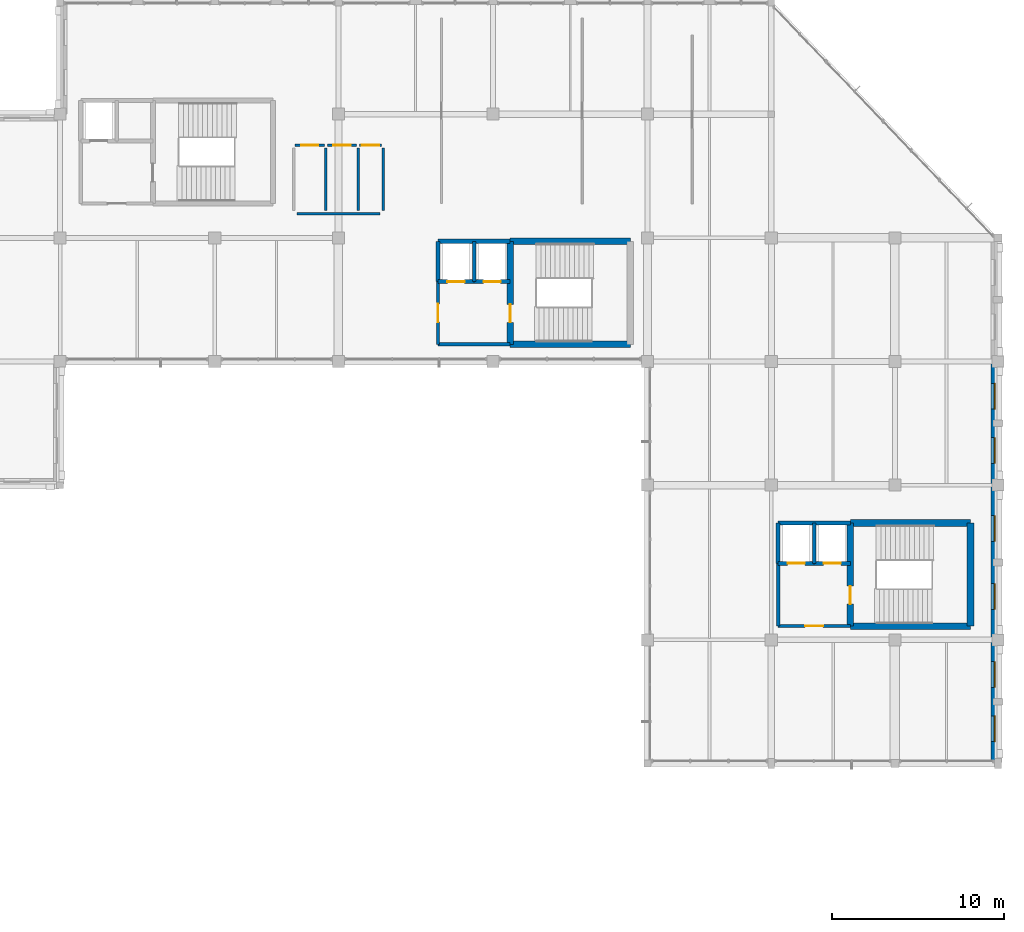
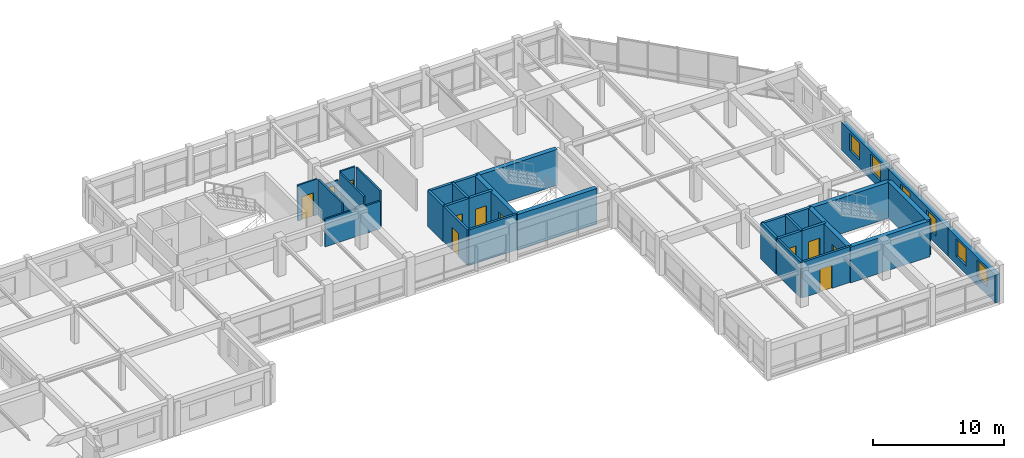
# One storey, part 44 of 52: 31 walls, 11 doors, 6 windows, 17 openings.
"""IFC4 building model written with IfcOpenShell, lengths in metres."""

from ifc_helpers import new_model, si_unit, direction, frame, frame_2d, origin, place, context, subcontext, project, spatial, rectangle, extrude, material, layer, layer_set, type_object, element, fill, save


model = new_model("IFC4")

# Units and contexts
model_context = context("Model", 3, precision=1e-05, world=origin(), true_north=direction((0.0, 1.0)))
body_context = subcontext(model_context, "Body", "Model", "MODEL_VIEW")
ifc_project = project(units=[si_unit("LENGTHUNIT", "METRE"), si_unit("AREAUNIT", "SQUARE_METRE"), si_unit("VOLUMEUNIT", "CUBIC_METRE"), si_unit("PLANEANGLEUNIT", "RADIAN"), si_unit("MASSUNIT", "GRAM", prefix="KILO")], contexts=[model_context])

# Site, building, storey
site_placement = place(None, origin())
site = spatial("IfcSite", under=ifc_project, at=site_placement, CompositionType="ELEMENT")
building_placement = place(site_placement, origin())
building = spatial("IfcBuilding", under=site, at=building_placement, Name="Clarverna Civic Hall", CompositionType="ELEMENT")
storey_placement = place(building_placement, frame((0.0, 0.0, 16.800048828125)))
storey = spatial("IfcBuildingStorey", under=building, at=storey_placement, Name="L04", CompositionType="ELEMENT", Elevation=16.800048828125)

# Wall, openings, windows
ifc_material_1 = material(Name="Montjuic Limestone Ashlar Cladding", Category="masonry")
ifc_layer_1 = layer(ifc_material_1, 0.39990234375)
ifc_layer_set_1 = layer_set([ifc_layer_1], Name="Montjuic Limestone Ashlar Cladding")
wall_type_1 = type_object("IfcWallType", Name="EW-02", PredefinedType="SOLIDWALL", material=ifc_layer_set_1)
wall_1_placement = place(storey_placement, frame((167.800048828125, 95.0, 0.0), z_axis=(0.0, 0.0, 1.0), x_axis=(0.0, -1.0, 0.0)))
wall_1 = element("IfcWall", 1, at=wall_1_placement, inside=storey, type_object=wall_type_1, Name="EW-02-224", PredefinedType="SOLIDWALL", context=body_context, shape_type="SweptSolid", body=[
    extrude(rectangle(XDim=7.199951171875, YDim=0.39990234375, at=frame_2d((3.60009765625, 0.0))), origin(), (0.0, 0.0, 1.0), 2.599853515625),
])
opening_1_placement = place(wall_1_placement, frame((1.26611328125, 0.0, 0.75)))
opening_1 = element("IfcOpeningElement", 2, at=opening_1_placement, cuts=wall_1, Name="Opening WN-14", PredefinedType="OPENING", context=body_context, shape_type="SweptSolid", body=[
    extrude(rectangle(XDim=1.5, YDim=1.60009765625, at=frame_2d((0.75, 0.800048828125))), frame((0.0, 0.2099609375, 0.0), z_axis=(0.0, -1.0, 0.0), x_axis=(1.0, 0.0, 0.0)), (0.0, 0.0, 1.0), 0.419921875),
])
opening_2_placement = place(wall_1_placement, frame((4.43408203125, 0.0, 0.75)))
opening_2 = element("IfcOpeningElement", 3, at=opening_2_placement, cuts=wall_1, Name="Opening WN-14", PredefinedType="OPENING", context=body_context, shape_type="SweptSolid", body=[
    extrude(rectangle(XDim=1.5, YDim=1.60009765625, at=frame_2d((0.75, 0.800048828125))), frame((0.0, 0.2099609375, 0.0), z_axis=(0.0, -1.0, 0.0), x_axis=(1.0, 0.0, 0.0)), (0.0, 0.0, 1.0), 0.419921875),
])
ifc_material_2 = material(Name="Solar-Control Argon Low-E Double Glazing", Category="glass")
window_type = type_object("IfcWindowType", Name="WN-14", PartitioningType="DOUBLE_PANEL_HORIZONTAL", PredefinedType="WINDOW", material=ifc_material_2)
window_1_placement = place(opening_1_placement, origin())
window_1 = element("IfcWindow", 4, at=window_1_placement, inside=storey, type_object=window_type, Name="WN-14-240", OverallHeight=1.60009765625, OverallWidth=1.5, PartitioningType="DOUBLE_PANEL_HORIZONTAL", PredefinedType="WINDOW", context=body_context, shape_type="SweptSolid", body=[
    extrude(rectangle(XDim=1.5, YDim=1.60009765625, at=frame_2d((0.75, 0.800048828125))), frame((0.0, 0.030029296875, 0.0), z_axis=(0.0, -1.0, 0.0), x_axis=(1.0, 0.0, 0.0)), (0.0, 0.0, 1.0), 0.06005859375),
])
fill(opening_1, window_1)
window_2_placement = place(opening_2_placement, origin())
window_2 = element("IfcWindow", 5, at=window_2_placement, inside=storey, type_object=window_type, Name="WN-14-241", OverallHeight=1.60009765625, OverallWidth=1.5, PartitioningType="DOUBLE_PANEL_HORIZONTAL", PredefinedType="WINDOW", context=body_context, shape_type="SweptSolid", body=[
    extrude(rectangle(XDim=1.5, YDim=1.60009765625, at=frame_2d((0.75, 0.800048828125))), frame((0.0, 0.030029296875, 0.0), z_axis=(0.0, -1.0, 0.0), x_axis=(1.0, 0.0, 0.0)), (0.0, 0.0, 1.0), 0.06005859375),
])
fill(opening_2, window_2)

wall_2_placement = place(storey_placement, frame((167.800048828125, 87.800048828125, 0.0), z_axis=(0.0, 0.0, 1.0), x_axis=(0.0, -1.0, 0.0)))
wall_2 = element("IfcWall", 6, at=wall_2_placement, inside=storey, type_object=wall_type_1, Name="EW-02-225", PredefinedType="SOLIDWALL", context=body_context, shape_type="SweptSolid", body=[
    extrude(rectangle(XDim=9.0, YDim=0.39990234375, at=frame_2d((4.5, 0.0))), origin(), (0.0, 0.0, 1.0), 2.599853515625),
])
opening_3_placement = place(wall_2_placement, frame((1.77001953125, 0.0, 0.75)))
opening_3 = element("IfcOpeningElement", 7, at=opening_3_placement, cuts=wall_2, Name="Opening WN-14", PredefinedType="OPENING", context=body_context, shape_type="SweptSolid", body=[
    extrude(rectangle(XDim=1.5, YDim=1.60009765625, at=frame_2d((0.75, 0.800048828125))), frame((0.0, 0.2099609375, 0.0), z_axis=(0.0, -1.0, 0.0), x_axis=(1.0, 0.0, 0.0)), (0.0, 0.0, 1.0), 0.419921875),
])
opening_4_placement = place(wall_2_placement, frame((5.72998046875, 0.0, 0.75)))
opening_4 = element("IfcOpeningElement", 8, at=opening_4_placement, cuts=wall_2, Name="Opening WN-14", PredefinedType="OPENING", context=body_context, shape_type="SweptSolid", body=[
    extrude(rectangle(XDim=1.5, YDim=1.60009765625, at=frame_2d((0.75, 0.800048828125))), frame((0.0, 0.2099609375, 0.0), z_axis=(0.0, -1.0, 0.0), x_axis=(1.0, 0.0, 0.0)), (0.0, 0.0, 1.0), 0.419921875),
])
window_3_placement = place(opening_3_placement, origin())
window_3 = element("IfcWindow", 9, at=window_3_placement, inside=storey, type_object=window_type, Name="WN-14-242", OverallHeight=1.60009765625, OverallWidth=1.5, PartitioningType="DOUBLE_PANEL_HORIZONTAL", PredefinedType="WINDOW", context=body_context, shape_type="SweptSolid", body=[
    extrude(rectangle(XDim=1.5, YDim=1.60009765625, at=frame_2d((0.75, 0.800048828125))), frame((0.0, 0.030029296875, 0.0), z_axis=(0.0, -1.0, 0.0), x_axis=(1.0, 0.0, 0.0)), (0.0, 0.0, 1.0), 0.06005859375),
])
fill(opening_3, window_3)
window_4_placement = place(opening_4_placement, origin())
window_4 = element("IfcWindow", 10, at=window_4_placement, inside=storey, type_object=window_type, Name="WN-14-243", OverallHeight=1.60009765625, OverallWidth=1.5, PartitioningType="DOUBLE_PANEL_HORIZONTAL", PredefinedType="WINDOW", context=body_context, shape_type="SweptSolid", body=[
    extrude(rectangle(XDim=1.5, YDim=1.60009765625, at=frame_2d((0.75, 0.800048828125))), frame((0.0, 0.030029296875, 0.0), z_axis=(0.0, -1.0, 0.0), x_axis=(1.0, 0.0, 0.0)), (0.0, 0.0, 1.0), 0.06005859375),
])
fill(opening_4, window_4)

wall_3_placement = place(storey_placement, frame((167.800048828125, 78.800048828125, 0.0), z_axis=(0.0, 0.0, 1.0), x_axis=(0.0, -1.0, 0.0)))
wall_3 = element("IfcWall", 11, at=wall_3_placement, inside=storey, type_object=wall_type_1, Name="EW-02-226", PredefinedType="SOLIDWALL", context=body_context, shape_type="SweptSolid", body=[
    extrude(rectangle(XDim=7.199951171875, YDim=0.39990234375, at=frame_2d((3.60009765625, 0.0))), origin(), (0.0, 0.0, 1.0), 2.599853515625),
])
opening_5_placement = place(wall_3_placement, frame((1.26611328125, 0.0, 0.75)))
opening_5 = element("IfcOpeningElement", 12, at=opening_5_placement, cuts=wall_3, Name="Opening WN-14", PredefinedType="OPENING", context=body_context, shape_type="SweptSolid", body=[
    extrude(rectangle(XDim=1.5, YDim=1.60009765625, at=frame_2d((0.75, 0.800048828125))), frame((0.0, 0.2099609375, 0.0), z_axis=(0.0, -1.0, 0.0), x_axis=(1.0, 0.0, 0.0)), (0.0, 0.0, 1.0), 0.419921875),
])
opening_6_placement = place(wall_3_placement, frame((4.43408203125, 0.0, 0.75)))
opening_6 = element("IfcOpeningElement", 13, at=opening_6_placement, cuts=wall_3, Name="Opening WN-14", PredefinedType="OPENING", context=body_context, shape_type="SweptSolid", body=[
    extrude(rectangle(XDim=1.5, YDim=1.60009765625, at=frame_2d((0.75, 0.800048828125))), frame((0.0, 0.2099609375, 0.0), z_axis=(0.0, -1.0, 0.0), x_axis=(1.0, 0.0, 0.0)), (0.0, 0.0, 1.0), 0.419921875),
])
window_5_placement = place(opening_5_placement, origin())
window_5 = element("IfcWindow", 14, at=window_5_placement, inside=storey, type_object=window_type, Name="WN-14-244", OverallHeight=1.60009765625, OverallWidth=1.5, PartitioningType="DOUBLE_PANEL_HORIZONTAL", PredefinedType="WINDOW", context=body_context, shape_type="SweptSolid", body=[
    extrude(rectangle(XDim=1.5, YDim=1.60009765625, at=frame_2d((0.75, 0.800048828125))), frame((0.0, 0.030029296875, 0.0), z_axis=(0.0, -1.0, 0.0), x_axis=(1.0, 0.0, 0.0)), (0.0, 0.0, 1.0), 0.06005859375),
])
fill(opening_5, window_5)
window_6_placement = place(opening_6_placement, origin())
window_6 = element("IfcWindow", 15, at=window_6_placement, inside=storey, type_object=window_type, Name="WN-14-245", OverallHeight=1.60009765625, OverallWidth=1.5, PartitioningType="DOUBLE_PANEL_HORIZONTAL", PredefinedType="WINDOW", context=body_context, shape_type="SweptSolid", body=[
    extrude(rectangle(XDim=1.5, YDim=1.60009765625, at=frame_2d((0.75, 0.800048828125))), frame((0.0, 0.030029296875, 0.0), z_axis=(0.0, -1.0, 0.0), x_axis=(1.0, 0.0, 0.0)), (0.0, 0.0, 1.0), 0.06005859375),
])
fill(opening_6, window_6)

# Walls
ifc_material_3 = material(Name="Ceramic Brick and Plaster Wet-Room Partition", Category="masonry")
ifc_layer_2 = layer(ifc_material_3, 0.139892578125)
ifc_layer_set_2 = layer_set([ifc_layer_2], Name="Ceramic Brick and Plaster Wet-Room Partition")
wall_type_2 = type_object("IfcWallType", Name="PW-02", PredefinedType="PARTITIONING", material=ifc_layer_set_2)
wall_4_placement = place(storey_placement, frame((127.179931640625, 103.60009765625, 0.0), z_axis=(0.0, 0.0, 1.0), x_axis=(1.0, 0.0, 0.0)))
element("IfcWall", 16, at=wall_4_placement, inside=storey, type_object=wall_type_2, Name="PW-02-041", PredefinedType="PARTITIONING", context=body_context, shape_type="SweptSolid", body=[
    extrude(rectangle(XDim=4.840087890625, YDim=0.139892578125, at=frame_2d((2.419921875, 0.0))), origin(), (0.0, 0.0, 1.0), 2.570068359375),
])
for number, where, z_axis, x_axis, name in (
    (17, (132.199951171875, 103.780029296875, 0.0), (0.0, 0.0, 1.0), (0.0, 1.0, 0.0), "PW-02-043"),
    (18, (128.8720703125, 103.780029296875, 0.0), (0.0, 0.0, 1.0), (0.0, 1.0, 0.0), "PW-02-044"),
    (19, (130.743896484375, 103.780029296875, 0.0), (0.0, 0.0, 1.0), (0.0, 1.0, 0.0), "PW-02-045"),
):
    element("IfcWall", number, at=place(storey_placement, frame(where, z_axis=z_axis, x_axis=x_axis)), inside=storey, type_object=wall_type_2, Name=name, PredefinedType="PARTITIONING", context=body_context, shape_type="SweptSolid", body=[
        extrude(rectangle(XDim=3.639892578125, YDim=0.139892578125, at=frame_2d((1.81982421875, 0.0))), origin(), (0.0, 0.0, 1.0), 3.320068359375),
    ])

# Wall, opening, door
wall_5_placement = place(storey_placement, frame((127.080078125, 107.60009765625, 0.0), z_axis=(0.0, 0.0, 1.0), x_axis=(1.0, 0.0, 0.0)))
wall_5 = element("IfcWall", 20, at=wall_5_placement, inside=storey, type_object=wall_type_2, Name="PW-02-046", PredefinedType="PARTITIONING", context=body_context, shape_type="SweptSolid", body=[
    extrude(rectangle(XDim=1.7119140625, YDim=0.139892578125, at=frame_2d((0.85595703125, 0.0))), origin(), (0.0, 0.0, 1.0), 3.320068359375),
])
opening_7_placement = place(wall_5_placement, frame((0.35595703125, 0.0, 0.0)))
opening_7 = element("IfcOpeningElement", 21, at=opening_7_placement, cuts=wall_5, Name="Opening ID-02", PredefinedType="OPENING", context=body_context, shape_type="SweptSolid", body=[
    extrude(rectangle(XDim=1.0, YDim=2.14990234375, at=frame_2d((0.5, 1.074951171875))), frame((0.0, 0.079833984375, 0.0), z_axis=(0.0, -1.0, 0.0), x_axis=(1.0, 0.0, 0.0)), (0.0, 0.0, 1.0), 0.159912109375),
])
ifc_material_4 = material(Name="European Oak Veneered Acoustic Timber Door", Category="wood")
door_type_1 = type_object("IfcDoorType", Name="ID-02", OperationType="NOTDEFINED", PredefinedType="DOOR", material=ifc_material_4)
door_1_placement = place(opening_7_placement, origin())
door_1 = element("IfcDoor", 22, at=door_1_placement, inside=storey, type_object=door_type_1, Name="ID-02-016", OperationType="SINGLE_SWING_RIGHT", OverallHeight=2.14990234375, OverallWidth=1.0, PredefinedType="DOOR", context=body_context, shape_type="SweptSolid", body=[
    extrude(rectangle(XDim=1.0, YDim=2.14990234375, at=frame_2d((0.5, 1.074951171875))), frame((0.0, 0.02490234375, 0.0), z_axis=(0.0, -1.0, 0.0), x_axis=(1.0, 0.0, 0.0)), (0.0, 0.0, 1.0), 0.050048828125),
])
fill(opening_7, door_1)

wall_6_placement = place(storey_placement, frame((128.951904296875, 107.60009765625, 0.0), z_axis=(0.0, 0.0, 1.0), x_axis=(1.0, 0.0, 0.0)))
wall_6 = element("IfcWall", 23, at=wall_6_placement, inside=storey, type_object=wall_type_2, Name="PW-02-047", PredefinedType="PARTITIONING", context=body_context, shape_type="SweptSolid", body=[
    extrude(rectangle(XDim=1.712158203125, YDim=0.139892578125, at=frame_2d((0.85595703125, 0.0))), origin(), (0.0, 0.0, 1.0), 2.570068359375),
])
opening_8_placement = place(wall_6_placement, frame((0.35595703125, 0.0, 0.0)))
opening_8 = element("IfcOpeningElement", 24, at=opening_8_placement, cuts=wall_6, Name="Opening ID-02", PredefinedType="OPENING", context=body_context, shape_type="SweptSolid", body=[
    extrude(rectangle(XDim=1.0, YDim=2.14990234375, at=frame_2d((0.5, 1.074951171875))), frame((0.0, 0.079833984375, 0.0), z_axis=(0.0, -1.0, 0.0), x_axis=(1.0, 0.0, 0.0)), (0.0, 0.0, 1.0), 0.159912109375),
])
door_2_placement = place(opening_8_placement, origin())
door_2 = element("IfcDoor", 25, at=door_2_placement, inside=storey, type_object=door_type_1, Name="ID-02-017", OperationType="SINGLE_SWING_LEFT", OverallHeight=2.14990234375, OverallWidth=1.0, PredefinedType="DOOR", context=body_context, shape_type="SweptSolid", body=[
    extrude(rectangle(XDim=1.0, YDim=2.14990234375, at=frame_2d((0.5, 1.074951171875))), frame((0.0, 0.02490234375, 0.0), z_axis=(0.0, -1.0, 0.0), x_axis=(1.0, 0.0, 0.0)), (0.0, 0.0, 1.0), 0.050048828125),
])
fill(opening_8, door_2)

wall_7_placement = place(storey_placement, frame((130.823974609375, 107.60009765625, 0.0), z_axis=(0.0, 0.0, 1.0), x_axis=(1.0, 0.0, 0.0)))
wall_7 = element("IfcWall", 26, at=wall_7_placement, inside=storey, type_object=wall_type_2, Name="PW-02-048", PredefinedType="PARTITIONING", context=body_context, shape_type="SweptSolid", body=[
    extrude(rectangle(XDim=1.296142578125, YDim=0.139892578125, at=frame_2d((0.64794921875, 0.0))), origin(), (0.0, 0.0, 1.0), 3.320068359375),
])
opening_9_placement = place(wall_7_placement, frame((0.14794921875, 0.0, 0.0)))
opening_9 = element("IfcOpeningElement", 27, at=opening_9_placement, cuts=wall_7, Name="Opening ID-02", PredefinedType="OPENING", context=body_context, shape_type="SweptSolid", body=[
    extrude(rectangle(XDim=1.0, YDim=2.14990234375, at=frame_2d((0.5, 1.074951171875))), frame((0.0, 0.079833984375, 0.0), z_axis=(0.0, -1.0, 0.0), x_axis=(1.0, 0.0, 0.0)), (0.0, 0.0, 1.0), 0.159912109375),
])
door_3_placement = place(opening_9_placement, origin())
door_3 = element("IfcDoor", 28, at=door_3_placement, inside=storey, type_object=door_type_1, Name="ID-02-018", OperationType="SINGLE_SWING_RIGHT", OverallHeight=2.14990234375, OverallWidth=1.0, PredefinedType="DOOR", context=body_context, shape_type="SweptSolid", body=[
    extrude(rectangle(XDim=1.0, YDim=2.14990234375, at=frame_2d((0.5, 1.074951171875))), frame((0.0, 0.02490234375, 0.0), z_axis=(0.0, -1.0, 0.0), x_axis=(1.0, 0.0, 0.0)), (0.0, 0.0, 1.0), 0.050048828125),
])
fill(opening_9, door_3)

ifc_material_5 = material(Name="Acoustic Gypsum Plasterboard on Twin Frame", Category="gypsum")
ifc_layer_3 = layer(ifc_material_5, 0.18994140625)
ifc_layer_set_3 = layer_set([ifc_layer_3], Name="Acoustic Gypsum Plasterboard on Twin Frame")
wall_type_3 = type_object("IfcWallType", Name="PW-06", PredefinedType="PARTITIONING", material=ifc_layer_set_3)
wall_8_placement = place(storey_placement, frame((135.39990234375, 96.0, 0.0), z_axis=(0.0, 0.0, 1.0), x_axis=(0.0, 1.0, 0.0)))
wall_8 = element("IfcWall", 29, at=wall_8_placement, inside=storey, type_object=wall_type_3, Name="PW-06-011", PredefinedType="PARTITIONING", context=body_context, shape_type="SweptSolid", body=[
    extrude(rectangle(XDim=3.64990234375, YDim=0.18994140625, at=frame_2d((1.824951171875, 0.0))), origin(), (0.0, 0.0, 1.0), 3.320068359375),
])
opening_10_placement = place(wall_8_placement, frame((1.300048828125, 0.0, 0.0)))
opening_10 = element("IfcOpeningElement", 30, at=opening_10_placement, cuts=wall_8, Name="Opening FD-02", PredefinedType="OPENING", context=body_context, shape_type="SweptSolid", body=[
    extrude(rectangle(XDim=1.050048828125, YDim=2.14990234375, at=frame_2d((0.52490234375, 1.074951171875))), frame((0.0, 0.10498046875, 0.0), z_axis=(0.0, -1.0, 0.0), x_axis=(1.0, 0.0, 0.0)), (0.0, 0.0, 1.0), 0.2099609375),
])
ifc_material_6 = material(Name="Acoustic Timber-Faced Fire Door", Category="wood")
door_type_2 = type_object("IfcDoorType", Name="FD-02", OperationType="NOTDEFINED", PredefinedType="DOOR", material=ifc_material_6)
door_4_placement = place(opening_10_placement, origin())
door_4 = element("IfcDoor", 31, at=door_4_placement, inside=storey, type_object=door_type_2, Name="FD-02-011", OperationType="SINGLE_SWING_RIGHT", OverallHeight=2.14990234375, OverallWidth=1.050048828125, PredefinedType="DOOR", context=body_context, shape_type="SweptSolid", body=[
    extrude(rectangle(XDim=1.050048828125, YDim=2.14990234375, at=frame_2d((0.52490234375, 1.074951171875))), frame((0.0, 0.02490234375, 0.0), z_axis=(0.0, -1.0, 0.0), x_axis=(1.0, 0.0, 0.0)), (0.0, 0.0, 1.0), 0.050048828125),
])
fill(opening_10, door_4)

# Walls
wall_9_placement = place(storey_placement, frame((135.39990234375, 96.0, 0.0), z_axis=(0.0, 0.0, 1.0), x_axis=(1.0, 0.0, 0.0)))
element("IfcWall", 32, at=wall_9_placement, inside=storey, type_object=wall_type_3, Name="PW-06-012", PredefinedType="PARTITIONING", context=body_context, shape_type="SweptSolid", body=[
    extrude(rectangle(XDim=4.2001953125, YDim=0.18994140625, at=frame_2d((2.10009765625, 0.0))), origin(), (0.0, 0.0, 1.0), 3.320068359375),
])
wall_10_placement = place(storey_placement, frame((155.199951171875, 79.60009765625, 0.0), z_axis=(0.0, 0.0, 1.0), x_axis=(0.0, 1.0, 0.0)))
element("IfcWall", 33, at=wall_10_placement, inside=storey, type_object=wall_type_3, Name="PW-06-029", PredefinedType="PARTITIONING", context=body_context, shape_type="SweptSolid", body=[
    extrude(rectangle(XDim=3.64990234375, YDim=0.18994140625, at=frame_2d((1.824951171875, 0.0))), origin(), (0.0, 0.0, 1.0), 3.320068359375),
])

# Wall, opening, door
wall_11_placement = place(storey_placement, frame((155.199951171875, 79.60009765625, 0.0), z_axis=(0.0, 0.0, 1.0), x_axis=(1.0, 0.0, 0.0)))
wall_11 = element("IfcWall", 34, at=wall_11_placement, inside=storey, type_object=wall_type_3, Name="PW-06-030", PredefinedType="PARTITIONING", context=body_context, shape_type="SweptSolid", body=[
    extrude(rectangle(XDim=4.199951171875, YDim=0.18994140625, at=frame_2d((2.10009765625, 0.0))), origin(), (0.0, 0.0, 1.0), 3.320068359375),
])
opening_11_placement = place(wall_11_placement, frame((1.574951171875, 0.0, 0.0)))
opening_11 = element("IfcOpeningElement", 35, at=opening_11_placement, cuts=wall_11, Name="Opening FD-02", PredefinedType="OPENING", context=body_context, shape_type="SweptSolid", body=[
    extrude(rectangle(XDim=1.050048828125, YDim=2.14990234375, at=frame_2d((0.52490234375, 1.074951171875))), frame((0.0, 0.10498046875, 0.0), z_axis=(0.0, -1.0, 0.0), x_axis=(1.0, 0.0, 0.0)), (0.0, 0.0, 1.0), 0.2099609375),
])
door_5_placement = place(opening_11_placement, origin())
door_5 = element("IfcDoor", 36, at=door_5_placement, inside=storey, type_object=door_type_2, Name="FD-02-028", OperationType="SINGLE_SWING_RIGHT", OverallHeight=2.14990234375, OverallWidth=1.050048828125, PredefinedType="DOOR", context=body_context, shape_type="SweptSolid", body=[
    extrude(rectangle(XDim=1.050048828125, YDim=2.14990234375, at=frame_2d((0.52490234375, 1.074951171875))), frame((0.0, 0.02490234375, 0.0), z_axis=(0.0, -1.0, 0.0), x_axis=(1.0, 0.0, 0.0)), (0.0, 0.0, 1.0), 0.050048828125),
])
fill(opening_11, door_5)

ifc_material_7 = material(Name="Concrete C35/45", Category="concrete")
ifc_layer_4 = layer(ifc_material_7, 0.3798828125)
ifc_layer_set_4 = layer_set([ifc_layer_4], Name="Concrete C35/45")
wall_type_4 = type_object("IfcWallType", Name="SW-01", PredefinedType="SHEAR", material=ifc_layer_set_4)
wall_12_placement = place(storey_placement, frame((139.60009765625, 96.0, 0.0), z_axis=(0.0, 0.0, 1.0), x_axis=(0.0, 1.0, 0.0)))
wall_12 = element("IfcWall", 37, at=wall_12_placement, inside=storey, type_object=wall_type_4, Name="SW-01-046", PredefinedType="SHEAR", context=body_context, shape_type="SweptSolid", body=[
    extrude(rectangle(XDim=6.0, YDim=0.3798828125, at=frame_2d((3.0, 0.0))), origin(), (0.0, 0.0, 1.0), 3.320068359375),
])
opening_12_placement = place(wall_12_placement, frame((1.27490234375, 0.0, 0.0)))
opening_12 = element("IfcOpeningElement", 38, at=opening_12_placement, cuts=wall_12, Name="Opening FD-02", PredefinedType="OPENING", context=body_context, shape_type="SweptSolid", body=[
    extrude(rectangle(XDim=1.050048828125, YDim=2.14990234375, at=frame_2d((0.52490234375, 1.074951171875))), frame((0.0, 0.199951171875, 0.0), z_axis=(0.0, -1.0, 0.0), x_axis=(1.0, 0.0, 0.0)), (0.0, 0.0, 1.0), 0.39990234375),
])
door_6_placement = place(opening_12_placement, origin())
door_6 = element("IfcDoor", 39, at=door_6_placement, inside=storey, type_object=door_type_2, Name="FD-02-010", OperationType="SINGLE_SWING_LEFT", OverallHeight=2.14990234375, OverallWidth=1.050048828125, PredefinedType="DOOR", context=body_context, shape_type="SweptSolid", body=[
    extrude(rectangle(XDim=1.050048828125, YDim=2.14990234375, at=frame_2d((0.52490234375, 1.074951171875))), frame((0.0, 0.02490234375, 0.0), z_axis=(0.0, -1.0, 0.0), x_axis=(1.0, 0.0, 0.0)), (0.0, 0.0, 1.0), 0.050048828125),
])
fill(opening_12, door_6)

# Walls
for number, where, z_axis, x_axis, name in (
    (40, (139.60009765625, 96.0, 0.0), (0.0, 0.0, 1.0), (1.0, 0.0, 0.0), "SW-01-048"),
    (41, (139.60009765625, 102.0, 0.0), (0.0, 0.0, 1.0), (1.0, 0.0, 0.0), "SW-01-049"),
):
    element("IfcWall", number, at=place(storey_placement, frame(where, z_axis=z_axis, x_axis=x_axis)), inside=storey, type_object=wall_type_4, Name=name, PredefinedType="SHEAR", context=body_context, shape_type="SweptSolid", body=[
        extrude(rectangle(XDim=7.0, YDim=0.3798828125, at=frame_2d((3.5, 0.0))), origin(), (0.0, 0.0, 1.0), 3.320068359375),
    ])
wall_13_placement = place(storey_placement, frame((135.39990234375, 102.0, 0.0), z_axis=(0.0, 0.0, 1.0), x_axis=(1.0, 0.0, 0.0)))
element("IfcWall", 42, at=wall_13_placement, inside=storey, type_object=wall_type_4, Name="SW-01-050", PredefinedType="SHEAR", context=body_context, shape_type="SweptSolid", body=[
    extrude(rectangle(XDim=4.2001953125, YDim=0.239990234375, at=frame_2d((2.10009765625, 0.0))), origin(), (0.0, 0.0, 1.0), 3.320068359375),
])
wall_14_placement = place(storey_placement, frame((135.39990234375, 99.64990234375, 0.0), z_axis=(0.0, 0.0, 1.0), x_axis=(0.0, 1.0, 0.0)))
element("IfcWall", 43, at=wall_14_placement, inside=storey, type_object=wall_type_4, Name="SW-01-051", PredefinedType="SHEAR", context=body_context, shape_type="SweptSolid", body=[
    extrude(rectangle(XDim=2.35009765625, YDim=0.239990234375, at=frame_2d((1.175048828125, 0.0))), origin(), (0.0, 0.0, 1.0), 3.320068359375),
])
wall_15_placement = place(storey_placement, frame((137.5, 99.64990234375, 0.0), z_axis=(0.0, 0.0, 1.0), x_axis=(0.0, 1.0, 0.0)))
element("IfcWall", 44, at=wall_15_placement, inside=storey, type_object=wall_type_4, Name="SW-01-052", PredefinedType="SHEAR", context=body_context, shape_type="SweptSolid", body=[
    extrude(rectangle(XDim=2.35009765625, YDim=0.199951171875, at=frame_2d((1.175048828125, 0.0))), origin(), (0.0, 0.0, 1.0), 3.320068359375),
])

# Wall, opening, door
wall_16_placement = place(storey_placement, frame((135.39990234375, 99.64990234375, 0.0), z_axis=(0.0, 0.0, 1.0), x_axis=(1.0, 0.0, 0.0)))
wall_16 = element("IfcWall", 45, at=wall_16_placement, inside=storey, type_object=wall_type_4, Name="SW-01-053", PredefinedType="SHEAR", context=body_context, shape_type="SweptSolid", body=[
    extrude(rectangle(XDim=2.10009765625, YDim=0.239990234375, at=frame_2d((1.050048828125, 0.0))), origin(), (0.0, 0.0, 1.0), 3.320068359375),
])
opening_13_placement = place(wall_16_placement, frame((0.550048828125, 0.0, 0.0)))
opening_13 = element("IfcOpeningElement", 46, at=opening_13_placement, cuts=wall_16, Name="Opening LD-01", PredefinedType="OPENING", context=body_context, shape_type="SweptSolid", body=[
    extrude(rectangle(XDim=1.0, YDim=2.10009765625, at=frame_2d((0.5, 1.050048828125))), frame((0.0, 0.1298828125, 0.0), z_axis=(0.0, -1.0, 0.0), x_axis=(1.0, 0.0, 0.0)), (0.0, 0.0, 1.0), 0.260009765625),
])
ifc_material_8 = material(Name="Brushed Bronze Stainless Lift Landing Door")
door_type_3 = type_object("IfcDoorType", Name="LD-01", OperationType="SLIDING_TO_LEFT", PredefinedType="DOOR", material=ifc_material_8)
door_7_placement = place(opening_13_placement, origin())
door_7 = element("IfcDoor", 47, at=door_7_placement, inside=storey, type_object=door_type_3, Name="LD-01-011", OperationType="SLIDING_TO_LEFT", OverallHeight=2.10009765625, OverallWidth=1.0, PredefinedType="DOOR", context=body_context, shape_type="SweptSolid", body=[
    extrude(rectangle(XDim=1.0, YDim=2.10009765625, at=frame_2d((0.5, 1.050048828125))), frame((0.0, 0.02490234375, 0.0), z_axis=(0.0, -1.0, 0.0), x_axis=(1.0, 0.0, 0.0)), (0.0, 0.0, 1.0), 0.050048828125),
])
fill(opening_13, door_7)

wall_17_placement = place(storey_placement, frame((137.5, 99.64990234375, 0.0), z_axis=(0.0, 0.0, 1.0), x_axis=(1.0, 0.0, 0.0)))
wall_17 = element("IfcWall", 48, at=wall_17_placement, inside=storey, type_object=wall_type_4, Name="SW-01-054", PredefinedType="SHEAR", context=body_context, shape_type="SweptSolid", body=[
    extrude(rectangle(XDim=2.10009765625, YDim=0.239990234375, at=frame_2d((1.050048828125, 0.0))), origin(), (0.0, 0.0, 1.0), 3.320068359375),
])
opening_14_placement = place(wall_17_placement, frame((0.550048828125, 0.0, 0.0)))
opening_14 = element("IfcOpeningElement", 49, at=opening_14_placement, cuts=wall_17, Name="Opening LD-01", PredefinedType="OPENING", context=body_context, shape_type="SweptSolid", body=[
    extrude(rectangle(XDim=1.0, YDim=2.10009765625, at=frame_2d((0.5, 1.050048828125))), frame((0.0, 0.1298828125, 0.0), z_axis=(0.0, -1.0, 0.0), x_axis=(1.0, 0.0, 0.0)), (0.0, 0.0, 1.0), 0.260009765625),
])
door_8_placement = place(opening_14_placement, origin())
door_8 = element("IfcDoor", 50, at=door_8_placement, inside=storey, type_object=door_type_3, Name="LD-01-012", OperationType="SLIDING_TO_LEFT", OverallHeight=2.10009765625, OverallWidth=1.0, PredefinedType="DOOR", context=body_context, shape_type="SweptSolid", body=[
    extrude(rectangle(XDim=1.0, YDim=2.10009765625, at=frame_2d((0.5, 1.050048828125))), frame((0.0, 0.02490234375, 0.0), z_axis=(0.0, -1.0, 0.0), x_axis=(1.0, 0.0, 0.0)), (0.0, 0.0, 1.0), 0.050048828125),
])
fill(opening_14, door_8)

wall_18_placement = place(storey_placement, frame((159.39990234375, 79.60009765625, 0.0), z_axis=(0.0, 0.0, 1.0), x_axis=(0.0, 1.0, 0.0)))
wall_18 = element("IfcWall", 51, at=wall_18_placement, inside=storey, type_object=wall_type_4, Name="SW-01-127", PredefinedType="SHEAR", context=body_context, shape_type="SweptSolid", body=[
    extrude(rectangle(XDim=6.0, YDim=0.3798828125, at=frame_2d((3.0, 0.0))), origin(), (0.0, 0.0, 1.0), 3.320068359375),
])
opening_15_placement = place(wall_18_placement, frame((1.27490234375, 0.0, 0.0)))
opening_15 = element("IfcOpeningElement", 52, at=opening_15_placement, cuts=wall_18, Name="Opening FD-02", PredefinedType="OPENING", context=body_context, shape_type="SweptSolid", body=[
    extrude(rectangle(XDim=1.050048828125, YDim=2.14990234375, at=frame_2d((0.52490234375, 1.074951171875))), frame((0.0, 0.199951171875, 0.0), z_axis=(0.0, -1.0, 0.0), x_axis=(1.0, 0.0, 0.0)), (0.0, 0.0, 1.0), 0.39990234375),
])
door_9_placement = place(opening_15_placement, origin())
door_9 = element("IfcDoor", 53, at=door_9_placement, inside=storey, type_object=door_type_2, Name="FD-02-027", OperationType="SINGLE_SWING_LEFT", OverallHeight=2.14990234375, OverallWidth=1.050048828125, PredefinedType="DOOR", context=body_context, shape_type="SweptSolid", body=[
    extrude(rectangle(XDim=1.050048828125, YDim=2.14990234375, at=frame_2d((0.52490234375, 1.074951171875))), frame((0.0, 0.02490234375, 0.0), z_axis=(0.0, -1.0, 0.0), x_axis=(1.0, 0.0, 0.0)), (0.0, 0.0, 1.0), 0.050048828125),
])
fill(opening_15, door_9)

# Walls
wall_19_placement = place(storey_placement, frame((166.39990234375, 79.60009765625, 0.0), z_axis=(0.0, 0.0, 1.0), x_axis=(0.0, 1.0, 0.0)))
element("IfcWall", 54, at=wall_19_placement, inside=storey, type_object=wall_type_4, Name="SW-01-128", PredefinedType="SHEAR", context=body_context, shape_type="SweptSolid", body=[
    extrude(rectangle(XDim=6.0, YDim=0.3798828125, at=frame_2d((3.0, 0.0))), origin(), (0.0, 0.0, 1.0), 3.320068359375),
])
for number, where, z_axis, x_axis, name in (
    (55, (159.39990234375, 79.60009765625, 0.0), (0.0, 0.0, 1.0), (1.0, 0.0, 0.0), "SW-01-129"),
    (56, (159.39990234375, 85.60009765625, 0.0), (0.0, 0.0, 1.0), (1.0, 0.0, 0.0), "SW-01-130"),
):
    element("IfcWall", number, at=place(storey_placement, frame(where, z_axis=z_axis, x_axis=x_axis)), inside=storey, type_object=wall_type_4, Name=name, PredefinedType="SHEAR", context=body_context, shape_type="SweptSolid", body=[
        extrude(rectangle(XDim=7.0, YDim=0.3798828125, at=frame_2d((3.5, 0.0))), origin(), (0.0, 0.0, 1.0), 3.320068359375),
    ])
wall_20_placement = place(storey_placement, frame((155.199951171875, 85.60009765625, 0.0), z_axis=(0.0, 0.0, 1.0), x_axis=(1.0, 0.0, 0.0)))
element("IfcWall", 57, at=wall_20_placement, inside=storey, type_object=wall_type_4, Name="SW-01-131", PredefinedType="SHEAR", context=body_context, shape_type="SweptSolid", body=[
    extrude(rectangle(XDim=4.199951171875, YDim=0.239990234375, at=frame_2d((2.10009765625, 0.0))), origin(), (0.0, 0.0, 1.0), 3.320068359375),
])
wall_21_placement = place(storey_placement, frame((155.199951171875, 83.25, 0.0), z_axis=(0.0, 0.0, 1.0), x_axis=(0.0, 1.0, 0.0)))
element("IfcWall", 58, at=wall_21_placement, inside=storey, type_object=wall_type_4, Name="SW-01-132", PredefinedType="SHEAR", context=body_context, shape_type="SweptSolid", body=[
    extrude(rectangle(XDim=2.35009765625, YDim=0.239990234375, at=frame_2d((1.175048828125, 0.0))), origin(), (0.0, 0.0, 1.0), 3.320068359375),
])
wall_22_placement = place(storey_placement, frame((157.300048828125, 83.25, 0.0), z_axis=(0.0, 0.0, 1.0), x_axis=(0.0, 1.0, 0.0)))
element("IfcWall", 59, at=wall_22_placement, inside=storey, type_object=wall_type_4, Name="SW-01-133", PredefinedType="SHEAR", context=body_context, shape_type="SweptSolid", body=[
    extrude(rectangle(XDim=2.35009765625, YDim=0.199951171875, at=frame_2d((1.175048828125, 0.0))), origin(), (0.0, 0.0, 1.0), 3.320068359375),
])

# Wall, opening, door
wall_23_placement = place(storey_placement, frame((155.199951171875, 83.25, 0.0), z_axis=(0.0, 0.0, 1.0), x_axis=(1.0, 0.0, 0.0)))
wall_23 = element("IfcWall", 60, at=wall_23_placement, inside=storey, type_object=wall_type_4, Name="SW-01-134", PredefinedType="SHEAR", context=body_context, shape_type="SweptSolid", body=[
    extrude(rectangle(XDim=2.10009765625, YDim=0.239990234375, at=frame_2d((1.050048828125, 0.0))), origin(), (0.0, 0.0, 1.0), 3.320068359375),
])
opening_16_placement = place(wall_23_placement, frame((0.550048828125, 0.0, 0.0)))
opening_16 = element("IfcOpeningElement", 61, at=opening_16_placement, cuts=wall_23, Name="Opening LD-01", PredefinedType="OPENING", context=body_context, shape_type="SweptSolid", body=[
    extrude(rectangle(XDim=1.0, YDim=2.10009765625, at=frame_2d((0.5, 1.050048828125))), frame((0.0, 0.1298828125, 0.0), z_axis=(0.0, -1.0, 0.0), x_axis=(1.0, 0.0, 0.0)), (0.0, 0.0, 1.0), 0.260009765625),
])
door_10_placement = place(opening_16_placement, origin())
door_10 = element("IfcDoor", 62, at=door_10_placement, inside=storey, type_object=door_type_3, Name="LD-01-029", OperationType="SLIDING_TO_LEFT", OverallHeight=2.10009765625, OverallWidth=1.0, PredefinedType="DOOR", context=body_context, shape_type="SweptSolid", body=[
    extrude(rectangle(XDim=1.0, YDim=2.10009765625, at=frame_2d((0.5, 1.050048828125))), frame((0.0, 0.02490234375, 0.0), z_axis=(0.0, -1.0, 0.0), x_axis=(1.0, 0.0, 0.0)), (0.0, 0.0, 1.0), 0.050048828125),
])
fill(opening_16, door_10)

wall_24_placement = place(storey_placement, frame((157.300048828125, 83.25, 0.0), z_axis=(0.0, 0.0, 1.0), x_axis=(1.0, 0.0, 0.0)))
wall_24 = element("IfcWall", 63, at=wall_24_placement, inside=storey, type_object=wall_type_4, Name="SW-01-135", PredefinedType="SHEAR", context=body_context, shape_type="SweptSolid", body=[
    extrude(rectangle(XDim=2.099853515625, YDim=0.239990234375, at=frame_2d((1.0498046875, 0.0))), origin(), (0.0, 0.0, 1.0), 3.320068359375),
])
opening_17_placement = place(wall_24_placement, frame((0.550048828125, 0.0, 0.0)))
opening_17 = element("IfcOpeningElement", 64, at=opening_17_placement, cuts=wall_24, Name="Opening LD-01", PredefinedType="OPENING", context=body_context, shape_type="SweptSolid", body=[
    extrude(rectangle(XDim=1.0, YDim=2.10009765625, at=frame_2d((0.5, 1.050048828125))), frame((0.0, 0.1298828125, 0.0), z_axis=(0.0, -1.0, 0.0), x_axis=(1.0, 0.0, 0.0)), (0.0, 0.0, 1.0), 0.260009765625),
])
door_11_placement = place(opening_17_placement, origin())
door_11 = element("IfcDoor", 65, at=door_11_placement, inside=storey, type_object=door_type_3, Name="LD-01-030", OperationType="SLIDING_TO_LEFT", OverallHeight=2.10009765625, OverallWidth=1.0, PredefinedType="DOOR", context=body_context, shape_type="SweptSolid", body=[
    extrude(rectangle(XDim=1.0, YDim=2.10009765625, at=frame_2d((0.5, 1.050048828125))), frame((0.0, 0.02490234375, 0.0), z_axis=(0.0, -1.0, 0.0), x_axis=(1.0, 0.0, 0.0)), (0.0, 0.0, 1.0), 0.050048828125),
])
fill(opening_17, door_11)

save(model, "model.ifc")
